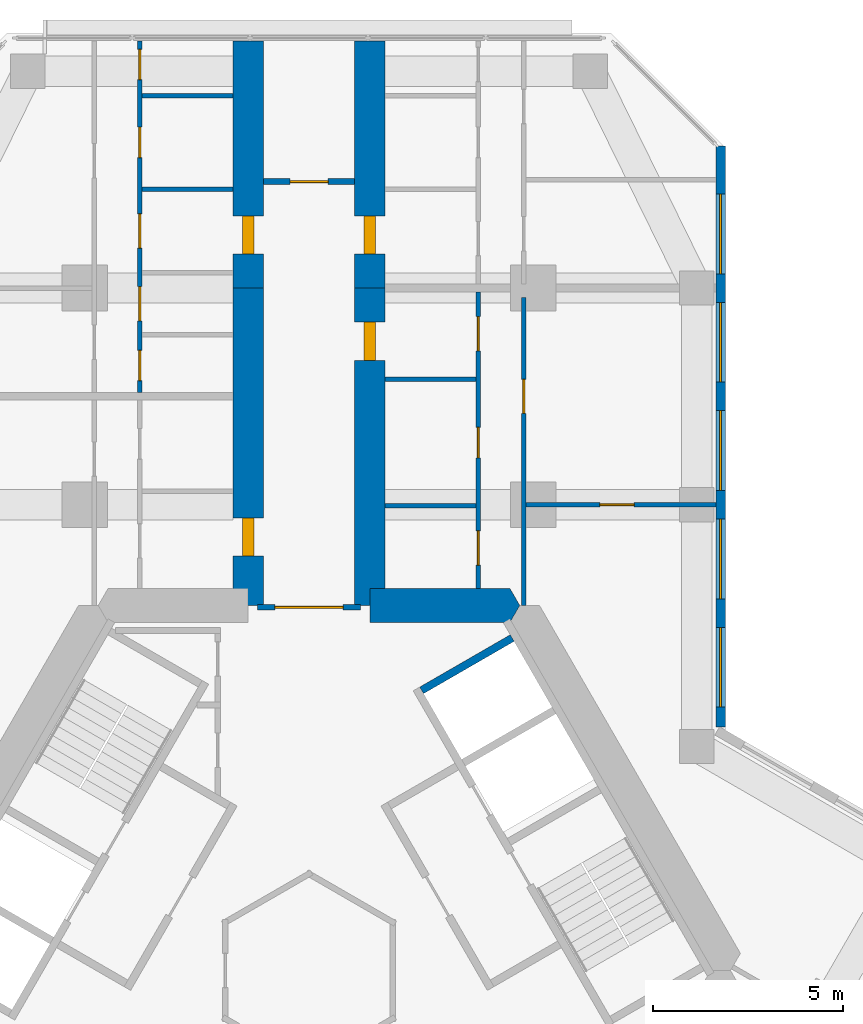
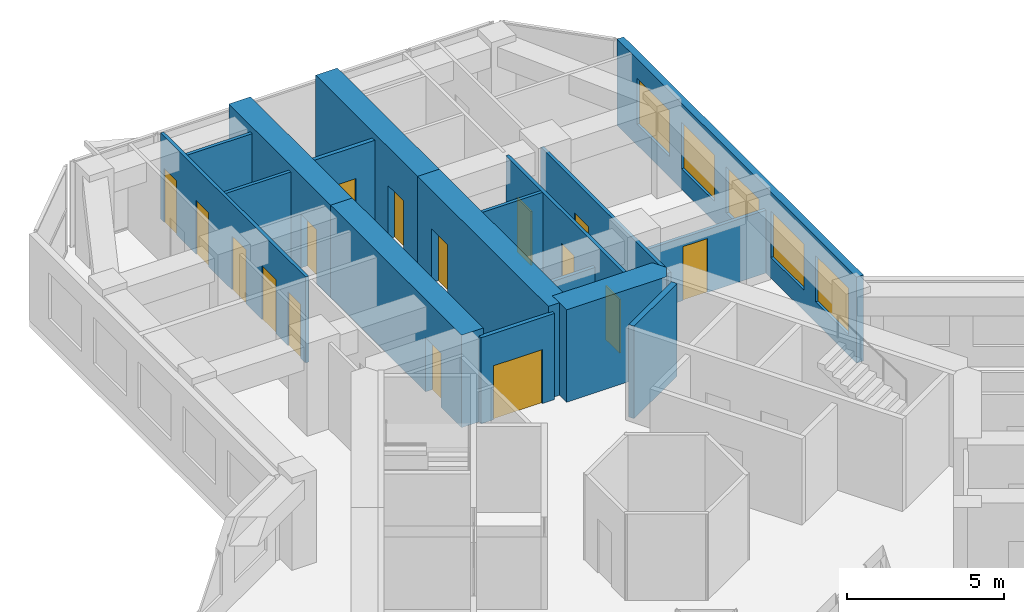
# One storey, part 17 of 19: 17 walls, 16 doors, 5 windows, 21 openings.
"""IFC4 building model written with IfcOpenShell, lengths in metres."""

from ifc_helpers import new_model, si_unit, direction, frame, frame_2d, origin, place, context, subcontext, project, spatial, polyline, rectangle, outline, extrude, material, layer, layer_set, type_object, element, fill, save


model = new_model("IFC4")

# Units and contexts
model_context = context("Model", 3, precision=1e-05, world=origin(), true_north=direction((0.0, 1.0)))
body_context = subcontext(model_context, "Body", "Model", "MODEL_VIEW")
ifc_project = project(units=[si_unit("LENGTHUNIT", "METRE"), si_unit("AREAUNIT", "SQUARE_METRE"), si_unit("VOLUMEUNIT", "CUBIC_METRE"), si_unit("PLANEANGLEUNIT", "RADIAN"), si_unit("MASSUNIT", "GRAM", prefix="KILO")], contexts=[model_context])

# Site, building, storey
site_placement = place(None, origin())
site = spatial("IfcSite", under=ifc_project, at=site_placement, CompositionType="ELEMENT")
building_placement = place(site_placement, origin())
building = spatial("IfcBuilding", under=site, at=building_placement, Name="Kosmar Iwan School Tower", CompositionType="ELEMENT")
storey_placement = place(building_placement, frame((0.0, 0.0, 138.199951171875)))
storey = spatial("IfcBuildingStorey", under=building, at=storey_placement, Name="L34", CompositionType="ELEMENT", Elevation=138.199951171875)

# Wall
ifc_material_1 = material(Name="Concrete C50/60", Category="concrete")
ifc_layer_1 = layer(ifc_material_1, 0.89990234375)
ifc_layer_set_1 = layer_set([ifc_layer_1], Name="Core wall 900")
wall_type_1 = type_object("IfcWallType", Name="Core wall 900", PredefinedType="SHEAR", material=ifc_layer_set_1)
wall_1_placement = place(storey_placement, origin())
element("IfcWall", 1, at=wall_1_placement, inside=storey, type_object=wall_type_1, Name="Core wall F090a", PredefinedType="SHEAR", context=body_context, shape_type="SweptSolid", body=[
    extrude(outline(polyline([(1.60009765625, 9.14990234375), (5.28271484375, 9.14990234375), (5.54248046875, 9.60009765625), (5.28271484375, 10.050048828125), (1.60009765625, 10.050048828125), (1.60009765625, 9.14990234375)])), origin(), (0.0, 0.0, 1.0), 3.60009765625),
])

# Wall, opening, door
ifc_material_2 = material(Name="Concrete C50/60", Category="concrete")
ifc_layer_2 = layer(ifc_material_2, 0.800048828125)
ifc_layer_set_2 = layer_set([ifc_layer_2], Name="Corridor buttress wall 800")
wall_type_2 = type_object("IfcWallType", Name="Corridor buttress wall 800", PredefinedType="SHEAR", material=ifc_layer_set_2)
wall_2_placement = place(storey_placement, frame((-1.60009765625, 9.60009765625, 0.0), z_axis=(0.0, 0.0, 1.0), x_axis=(0.0, 1.0, 0.0)))
wall_2 = element("IfcWall", 2, at=wall_2_placement, inside=storey, type_object=wall_type_2, Name="Corridor wall AL", PredefinedType="SHEAR", context=body_context, shape_type="SweptSolid", body=[
    extrude(rectangle(XDim=8.349853515625, YDim=0.800048828125, at=frame_2d((4.1748046875, 0.0))), origin(), (0.0, 0.0, 1.0), 3.60009765625),
])
opening_1_placement = place(wall_2_placement, frame((1.300048828125, 0.0, 0.0)))
opening_1 = element("IfcOpeningElement", 3, at=opening_1_placement, cuts=wall_2, Name="Opening D1", PredefinedType="OPENING", context=body_context, shape_type="SweptSolid", body=[
    extrude(rectangle(XDim=1.0, YDim=2.10009765625, at=frame_2d((0.5, 1.050048828125))), frame((0.0, 0.412109375, 0.0), z_axis=(0.0, -1.0, 0.0), x_axis=(1.0, 0.0, 0.0)), (0.0, 0.0, 1.0), 0.823974609375),
])
ifc_material_3 = material(Name="Timber fire door in steel frame", Category="steel")
door_type_1 = type_object("IfcDoorType", Name="Flat entrance door 1000x2100", OperationType="SINGLE_SWING_LEFT", PredefinedType="DOOR", material=ifc_material_3)
door_1_placement = place(opening_1_placement, origin())
door_1 = element("IfcDoor", 4, at=door_1_placement, inside=storey, type_object=door_type_1, Name="Flat L34-AL1 entrance door", OperationType="SINGLE_SWING_RIGHT", OverallHeight=2.10009765625, OverallWidth=1.0, PredefinedType="DOOR", context=body_context, shape_type="SweptSolid", body=[
    extrude(rectangle(XDim=1.0, YDim=2.10009765625, at=frame_2d((0.5, 1.050048828125))), frame((0.0, 0.14990234375, 0.0), z_axis=(0.0, -1.0, 0.0), x_axis=(1.0, 0.0, 0.0)), (0.0, 0.0, 1.0), 0.300048828125),
])
fill(opening_1, door_1)

wall_3_placement = place(storey_placement, frame((-1.60009765625, 17.949951171875, 0.0), z_axis=(0.0, 0.0, 1.0), x_axis=(0.0, 1.0, 0.0)))
wall_3 = element("IfcWall", 5, at=wall_3_placement, inside=storey, type_object=wall_type_2, Name="Corridor wall AL bay 2", PredefinedType="SHEAR", context=body_context, shape_type="SweptSolid", body=[
    extrude(rectangle(XDim=6.4951171875, YDim=0.800048828125, at=frame_2d((3.24755859375, 0.0))), origin(), (0.0, 0.0, 1.0), 3.60009765625),
])
opening_2_placement = place(wall_3_placement, frame((0.89990234375, 0.0, 0.0)))
opening_2 = element("IfcOpeningElement", 6, at=opening_2_placement, cuts=wall_3, Name="Opening D1", PredefinedType="OPENING", context=body_context, shape_type="SweptSolid", body=[
    extrude(rectangle(XDim=1.0, YDim=2.10009765625, at=frame_2d((0.5, 1.050048828125))), frame((0.0, 0.412109375, 0.0), z_axis=(0.0, -1.0, 0.0), x_axis=(1.0, 0.0, 0.0)), (0.0, 0.0, 1.0), 0.823974609375),
])
door_2_placement = place(opening_2_placement, origin())
door_2 = element("IfcDoor", 7, at=door_2_placement, inside=storey, type_object=door_type_1, Name="Flat L34-AL2 entrance door", OperationType="SINGLE_SWING_LEFT", OverallHeight=2.10009765625, OverallWidth=1.0, PredefinedType="DOOR", context=body_context, shape_type="SweptSolid", body=[
    extrude(rectangle(XDim=1.0, YDim=2.10009765625, at=frame_2d((0.5, 1.050048828125))), frame((0.0, 0.14990234375, 0.0), z_axis=(0.0, -1.0, 0.0), x_axis=(1.0, 0.0, 0.0)), (0.0, 0.0, 1.0), 0.300048828125),
])
fill(opening_2, door_2)

wall_4_placement = place(storey_placement, frame((1.60009765625, 9.60009765625, 0.0), z_axis=(0.0, 0.0, 1.0), x_axis=(0.0, 1.0, 0.0)))
wall_4 = element("IfcWall", 8, at=wall_4_placement, inside=storey, type_object=wall_type_2, Name="Corridor wall AR", PredefinedType="SHEAR", context=body_context, shape_type="SweptSolid", body=[
    extrude(rectangle(XDim=8.349853515625, YDim=0.800048828125, at=frame_2d((4.1748046875, 0.0))), origin(), (0.0, 0.0, 1.0), 3.60009765625),
])
opening_3_placement = place(wall_4_placement, frame((6.449951171875, 0.0, 0.0)))
opening_3 = element("IfcOpeningElement", 9, at=opening_3_placement, cuts=wall_4, Name="Opening D1", PredefinedType="OPENING", context=body_context, shape_type="SweptSolid", body=[
    extrude(rectangle(XDim=1.0, YDim=2.10009765625, at=frame_2d((0.5, 1.050048828125))), frame((0.0, 0.412109375, 0.0), z_axis=(0.0, -1.0, 0.0), x_axis=(1.0, 0.0, 0.0)), (0.0, 0.0, 1.0), 0.823974609375),
])
door_3_placement = place(opening_3_placement, origin())
door_3 = element("IfcDoor", 10, at=door_3_placement, inside=storey, type_object=door_type_1, Name="Flat L34-AR1 entrance door", OperationType="SINGLE_SWING_RIGHT", OverallHeight=2.10009765625, OverallWidth=1.0, PredefinedType="DOOR", context=body_context, shape_type="SweptSolid", body=[
    extrude(rectangle(XDim=1.0, YDim=2.10009765625, at=frame_2d((0.5, 1.050048828125))), frame((0.0, 0.14990234375, 0.0), z_axis=(0.0, -1.0, 0.0), x_axis=(1.0, 0.0, 0.0)), (0.0, 0.0, 1.0), 0.300048828125),
])
fill(opening_3, door_3)

wall_5_placement = place(storey_placement, frame((1.60009765625, 17.949951171875, 0.0), z_axis=(0.0, 0.0, 1.0), x_axis=(0.0, 1.0, 0.0)))
wall_5 = element("IfcWall", 11, at=wall_5_placement, inside=storey, type_object=wall_type_2, Name="Corridor wall AR bay 2", PredefinedType="SHEAR", context=body_context, shape_type="SweptSolid", body=[
    extrude(rectangle(XDim=6.4951171875, YDim=0.800048828125, at=frame_2d((3.24755859375, 0.0))), origin(), (0.0, 0.0, 1.0), 3.60009765625),
])
opening_4_placement = place(wall_5_placement, frame((0.89990234375, 0.0, 0.0)))
opening_4 = element("IfcOpeningElement", 12, at=opening_4_placement, cuts=wall_5, Name="Opening D1", PredefinedType="OPENING", context=body_context, shape_type="SweptSolid", body=[
    extrude(rectangle(XDim=1.0, YDim=2.10009765625, at=frame_2d((0.5, 1.050048828125))), frame((0.0, 0.412109375, 0.0), z_axis=(0.0, -1.0, 0.0), x_axis=(1.0, 0.0, 0.0)), (0.0, 0.0, 1.0), 0.823974609375),
])
door_4_placement = place(opening_4_placement, origin())
door_4 = element("IfcDoor", 13, at=door_4_placement, inside=storey, type_object=door_type_1, Name="Flat L34-AR2 entrance door", OperationType="SINGLE_SWING_RIGHT", OverallHeight=2.10009765625, OverallWidth=1.0, PredefinedType="DOOR", context=body_context, shape_type="SweptSolid", body=[
    extrude(rectangle(XDim=1.0, YDim=2.10009765625, at=frame_2d((0.5, 1.050048828125))), frame((0.0, 0.14990234375, 0.0), z_axis=(0.0, -1.0, 0.0), x_axis=(1.0, 0.0, 0.0)), (0.0, 0.0, 1.0), 0.300048828125),
])
fill(opening_4, door_4)

ifc_material_4 = material(Name="Gypsum board on steel studs, fire-rated", Category="steel")
ifc_layer_3 = layer(ifc_material_4, 0.14990234375)
ifc_layer_set_3 = layer_set([ifc_layer_3], Name="Corridor end wall 150")
wall_type_3 = type_object("IfcWallType", Name="Corridor end wall 150", PredefinedType="PARTITIONING", material=ifc_layer_set_3)
wall_6_placement = place(storey_placement, frame((1.199951171875, 20.75, 0.0), z_axis=(0.0, 0.0, 1.0), x_axis=(-1.0, 0.0, 0.0)))
wall_6 = element("IfcWall", 14, at=wall_6_placement, inside=storey, type_object=wall_type_3, Name="Partition L34-A-CE", PredefinedType="PARTITIONING", context=body_context, shape_type="SweptSolid", body=[
    extrude(rectangle(XDim=2.39990234375, YDim=0.14990234375, at=frame_2d((1.199951171875, 0.0))), origin(), (0.0, 0.0, 1.0), 3.35009765625),
])
opening_5_placement = place(wall_6_placement, frame((0.699951171875, 0.0, 0.0)))
opening_5 = element("IfcOpeningElement", 15, at=opening_5_placement, cuts=wall_6, Name="Opening D13", PredefinedType="OPENING", context=body_context, shape_type="SweptSolid", body=[
    extrude(rectangle(XDim=1.0, YDim=2.10009765625, at=frame_2d((0.5, 1.050048828125))), frame((0.0, 0.0869140625, 0.0), z_axis=(0.0, -1.0, 0.0), x_axis=(1.0, 0.0, 0.0)), (0.0, 0.0, 1.0), 0.173828125),
])
ifc_material_5 = material(Name="Timber fire door with vision panel", Category="wood")
door_type_2 = type_object("IfcDoorType", Name="Corridor end door 1000x2100", OperationType="SINGLE_SWING_LEFT", PredefinedType="DOOR", material=ifc_material_5)
door_5_placement = place(opening_5_placement, origin())
door_5 = element("IfcDoor", 16, at=door_5_placement, inside=storey, type_object=door_type_2, Name="Prayer room door L34-A", OperationType="SINGLE_SWING_LEFT", OverallHeight=2.10009765625, OverallWidth=1.0, PredefinedType="DOOR", context=body_context, shape_type="SweptSolid", body=[
    extrude(rectangle(XDim=1.0, YDim=2.10009765625, at=frame_2d((0.5, 1.050048828125))), frame((0.0, 0.02490234375, 0.0), z_axis=(0.0, -1.0, 0.0), x_axis=(1.0, 0.0, 0.0)), (0.0, 0.0, 1.0), 0.050048828125),
])
fill(opening_5, door_5)

ifc_material_6 = material(Name="Steel framed glazed screen", Category="steel")
ifc_layer_4 = layer(ifc_material_6, 0.14990234375)
ifc_layer_set_4 = layer_set([ifc_layer_4], Name="Corridor screen wall 150")
wall_type_4 = type_object("IfcWallType", Name="Corridor screen wall 150", PredefinedType="PARTITIONING", material=ifc_layer_set_4)
wall_7_placement = place(storey_placement, frame((1.35009765625, 9.550048828125, 0.0), z_axis=(0.0, 0.0, 1.0), x_axis=(-1.0, 0.0, 0.0)))
wall_7 = element("IfcWall", 17, at=wall_7_placement, inside=storey, type_object=wall_type_4, Name="Corridor screen A L34", PredefinedType="PARTITIONING", context=body_context, shape_type="SweptSolid", body=[
    extrude(rectangle(XDim=2.7001953125, YDim=0.14990234375, at=frame_2d((1.35009765625, 0.0))), origin(), (0.0, 0.0, 1.0), 3.35009765625),
])
opening_6_placement = place(wall_7_placement, frame((0.449951171875, 0.0, 0.0)))
opening_6 = element("IfcOpeningElement", 18, at=opening_6_placement, cuts=wall_7, Name="Opening D9", PredefinedType="OPENING", context=body_context, shape_type="SweptSolid", body=[
    extrude(rectangle(XDim=1.800048828125, YDim=2.10009765625, at=frame_2d((0.89990234375, 1.050048828125))), frame((0.0, 0.0869140625, 0.0), z_axis=(0.0, -1.0, 0.0), x_axis=(1.0, 0.0, 0.0)), (0.0, 0.0, 1.0), 0.173828125),
])
ifc_material_7 = material(Name="Steel framed glazed smoke door", Category="steel")
door_type_3 = type_object("IfcDoorType", Name="Corridor smoke door pair 1800x2100", OperationType="DOUBLE_DOOR_DOUBLE_SWING", PredefinedType="DOOR", material=ifc_material_7)
door_6_placement = place(opening_6_placement, origin())
door_6 = element("IfcDoor", 19, at=door_6_placement, inside=storey, type_object=door_type_3, Name="Corridor doors A L34", OperationType="DOUBLE_DOOR_DOUBLE_SWING", OverallHeight=2.10009765625, OverallWidth=1.800048828125, PredefinedType="DOOR", context=body_context, shape_type="SweptSolid", body=[
    extrude(rectangle(XDim=1.800048828125, YDim=2.10009765625, at=frame_2d((0.89990234375, 1.050048828125))), frame((0.0, 0.02490234375, 0.0), z_axis=(0.0, -1.0, 0.0), x_axis=(1.0, 0.0, 0.0)), (0.0, 0.0, 1.0), 0.050048828125),
])
fill(opening_6, door_6)

# Wall, openings, doors
ifc_material_8 = material(Name="Gypsum board on steel studs", Category="steel")
ifc_layer_5 = layer(ifc_material_8, 0.1201171875)
ifc_layer_set_5 = layer_set([ifc_layer_5], Name="Dwelling partition 120")
wall_type_5 = type_object("IfcWallType", Name="Dwelling partition 120", PredefinedType="PARTITIONING", material=ifc_layer_set_5)
wall_8_placement = place(storey_placement, frame((-4.449951171875, 15.199951171875, 0.0), z_axis=(0.0, 0.0, 1.0), x_axis=(0.0, 1.0, 0.0)))
wall_8 = element("IfcWall", 20, at=wall_8_placement, inside=storey, type_object=wall_type_5, Name="Partition L34-AL2-W1", PredefinedType="PARTITIONING", context=body_context, shape_type="SweptSolid", body=[
    extrude(rectangle(XDim=9.2451171875, YDim=0.1201171875, at=frame_2d((4.62255859375, 0.0))), origin(), (0.0, 0.0, 1.0), 3.35009765625),
])
opening_7_placement = place(wall_8_placement, frame((0.3125, 0.0, 0.0)))
opening_7 = element("IfcOpeningElement", 21, at=opening_7_placement, cuts=wall_8, Name="Opening D3", PredefinedType="OPENING", context=body_context, shape_type="SweptSolid", body=[
    extrude(rectangle(XDim=0.800048828125, YDim=2.10009765625, at=frame_2d((0.39990234375, 1.050048828125))), frame((0.0, 0.072021484375, 0.0), z_axis=(0.0, -1.0, 0.0), x_axis=(1.0, 0.0, 0.0)), (0.0, 0.0, 1.0), 0.14404296875),
])
opening_8_placement = place(wall_8_placement, frame((1.887451171875, 0.0, 0.0)))
opening_8 = element("IfcOpeningElement", 22, at=opening_8_placement, cuts=wall_8, Name="Opening D2", PredefinedType="OPENING", context=body_context, shape_type="SweptSolid", body=[
    extrude(rectangle(XDim=0.89990234375, YDim=2.10009765625, at=frame_2d((0.449951171875, 1.050048828125))), frame((0.0, 0.072021484375, 0.0), z_axis=(0.0, -1.0, 0.0), x_axis=(1.0, 0.0, 0.0)), (0.0, 0.0, 1.0), 0.14404296875),
])
opening_9_placement = place(wall_8_placement, frame((3.800048828125, 0.0, 0.0)))
opening_9 = element("IfcOpeningElement", 23, at=opening_9_placement, cuts=wall_8, Name="Opening D2", PredefinedType="OPENING", context=body_context, shape_type="SweptSolid", body=[
    extrude(rectangle(XDim=0.89990234375, YDim=2.10009765625, at=frame_2d((0.449951171875, 1.050048828125))), frame((0.0, 0.072021484375, 0.0), z_axis=(0.0, -1.0, 0.0), x_axis=(1.0, 0.0, 0.0)), (0.0, 0.0, 1.0), 0.14404296875),
])
opening_10_placement = place(wall_8_placement, frame((6.179931640625, 0.0, 0.0)))
opening_10 = element("IfcOpeningElement", 24, at=opening_10_placement, cuts=wall_8, Name="Opening D3", PredefinedType="OPENING", context=body_context, shape_type="SweptSolid", body=[
    extrude(rectangle(XDim=0.800048828125, YDim=2.10009765625, at=frame_2d((0.39990234375, 1.050048828125))), frame((0.0, 0.072021484375, 0.0), z_axis=(0.0, -1.0, 0.0), x_axis=(1.0, 0.0, 0.0)), (0.0, 0.0, 1.0), 0.14404296875),
])
opening_11_placement = place(wall_8_placement, frame((8.22998046875, 0.0, 0.0)))
opening_11 = element("IfcOpeningElement", 25, at=opening_11_placement, cuts=wall_8, Name="Opening D3", PredefinedType="OPENING", context=body_context, shape_type="SweptSolid", body=[
    extrude(rectangle(XDim=0.800048828125, YDim=2.10009765625, at=frame_2d((0.39990234375, 1.050048828125))), frame((0.0, 0.072021484375, 0.0), z_axis=(0.0, -1.0, 0.0), x_axis=(1.0, 0.0, 0.0)), (0.0, 0.0, 1.0), 0.14404296875),
])
ifc_material_9 = material(Name="Timber door in timber frame", Category="wood")
door_type_4 = type_object("IfcDoorType", Name="Internal door 900x2100", OperationType="SINGLE_SWING_LEFT", PredefinedType="DOOR", material=ifc_material_9)
door_7_placement = place(opening_8_placement, frame((0.89990234375, 0.0, 0.0), z_axis=(0.0, 0.0, 1.0), x_axis=(-1.0, 0.0, 0.0)))
door_7 = element("IfcDoor", 26, at=door_7_placement, inside=storey, type_object=door_type_4, Name="Pantry door L34-AL2-S2", OperationType="SINGLE_SWING_RIGHT", OverallHeight=2.10009765625, OverallWidth=0.89990234375, PredefinedType="DOOR", context=body_context, shape_type="SweptSolid", body=[
    extrude(rectangle(XDim=0.89990234375, YDim=2.10009765625, at=frame_2d((0.449951171875, 1.050048828125))), frame((0.0, 0.02490234375, 0.0), z_axis=(0.0, -1.0, 0.0), x_axis=(1.0, 0.0, 0.0)), (0.0, 0.0, 1.0), 0.050048828125),
])
fill(opening_8, door_7)
door_8_placement = place(opening_9_placement, origin())
door_8 = element("IfcDoor", 27, at=door_8_placement, inside=storey, type_object=door_type_4, Name="Entrance hall door L34-AL2-S3", OperationType="SINGLE_SWING_LEFT", OverallHeight=2.10009765625, OverallWidth=0.89990234375, PredefinedType="DOOR", context=body_context, shape_type="SweptSolid", body=[
    extrude(rectangle(XDim=0.89990234375, YDim=2.10009765625, at=frame_2d((0.449951171875, 1.050048828125))), frame((0.0, 0.02490234375, 0.0), z_axis=(0.0, -1.0, 0.0), x_axis=(1.0, 0.0, 0.0)), (0.0, 0.0, 1.0), 0.050048828125),
])
fill(opening_9, door_8)
ifc_material_10 = material(Name="Timber door in timber frame", Category="wood")
door_type_5 = type_object("IfcDoorType", Name="Sanitary room door 800x2100", OperationType="SINGLE_SWING_LEFT", PredefinedType="DOOR", material=ifc_material_10)
door_9_placement = place(opening_7_placement, origin())
door_9 = element("IfcDoor", 28, at=door_9_placement, inside=storey, type_object=door_type_5, Name="Store door L34-AL2-S1", OperationType="SINGLE_SWING_LEFT", OverallHeight=2.10009765625, OverallWidth=0.800048828125, PredefinedType="DOOR", context=body_context, shape_type="SweptSolid", body=[
    extrude(rectangle(XDim=0.800048828125, YDim=2.10009765625, at=frame_2d((0.39990234375, 1.050048828125))), frame((0.0, 0.02490234375, 0.0), z_axis=(0.0, -1.0, 0.0), x_axis=(1.0, 0.0, 0.0)), (0.0, 0.0, 1.0), 0.050048828125),
])
fill(opening_7, door_9)
door_10_placement = place(opening_10_placement, origin())
door_10 = element("IfcDoor", 29, at=door_10_placement, inside=storey, type_object=door_type_5, Name="Bathroom door L34-AL2-S4", OperationType="SINGLE_SWING_RIGHT", OverallHeight=2.10009765625, OverallWidth=0.800048828125, PredefinedType="DOOR", context=body_context, shape_type="SweptSolid", body=[
    extrude(rectangle(XDim=0.800048828125, YDim=2.10009765625, at=frame_2d((0.39990234375, 1.050048828125))), frame((0.0, 0.02490234375, 0.0), z_axis=(0.0, -1.0, 0.0), x_axis=(1.0, 0.0, 0.0)), (0.0, 0.0, 1.0), 0.050048828125),
])
fill(opening_10, door_10)
door_11_placement = place(opening_11_placement, origin())
door_11 = element("IfcDoor", 30, at=door_11_placement, inside=storey, type_object=door_type_5, Name="WC door L34-AL2-S5", OperationType="SINGLE_SWING_RIGHT", OverallHeight=2.10009765625, OverallWidth=0.800048828125, PredefinedType="DOOR", context=body_context, shape_type="SweptSolid", body=[
    extrude(rectangle(XDim=0.800048828125, YDim=2.10009765625, at=frame_2d((0.39990234375, 1.050048828125))), frame((0.0, 0.02490234375, 0.0), z_axis=(0.0, -1.0, 0.0), x_axis=(1.0, 0.0, 0.0)), (0.0, 0.0, 1.0), 0.050048828125),
])
fill(opening_11, door_11)

# Walls
for number, where, z_axis, x_axis, name in (
    (31, (-2.0, 20.550048828125, 0.0), (0.0, 0.0, 1.0), (-1.0, 0.0, 0.0), "Partition L34-AL2-Y3"),
    (32, (-2.0, 23.010009765625, 0.0), (0.0, 0.0, 1.0), (-1.0, 0.0, 0.0), "Partition L34-AL2-Y4"),
):
    element("IfcWall", number, at=place(storey_placement, frame(where, z_axis=z_axis, x_axis=x_axis)), inside=storey, type_object=wall_type_5, Name=name, PredefinedType="PARTITIONING", context=body_context, shape_type="SweptSolid", body=[
        extrude(rectangle(XDim=2.389892578125, YDim=0.1201171875, at=frame_2d((1.19482421875, 0.0))), origin(), (0.0, 0.0, 1.0), 3.35009765625),
    ])

# Wall, openings, doors
wall_9_placement = place(storey_placement, frame((4.449951171875, 10.050048828125, 0.0), z_axis=(0.0, 0.0, 1.0), x_axis=(0.0, 1.0, 0.0)))
wall_9 = element("IfcWall", 33, at=wall_9_placement, inside=storey, type_object=wall_type_5, Name="Partition L34-AR1-W1", PredefinedType="PARTITIONING", context=body_context, shape_type="SweptSolid", body=[
    extrude(rectangle(XDim=7.800048828125, YDim=0.1201171875, at=frame_2d((3.89990234375, 0.0))), origin(), (0.0, 0.0, 1.0), 3.35009765625),
])
opening_12_placement = place(wall_9_placement, frame((0.610107421875, 0.0, 0.0)))
opening_12 = element("IfcOpeningElement", 34, at=opening_12_placement, cuts=wall_9, Name="Opening D2", PredefinedType="OPENING", context=body_context, shape_type="SweptSolid", body=[
    extrude(rectangle(XDim=0.89990234375, YDim=2.10009765625, at=frame_2d((0.449951171875, 1.050048828125))), frame((0.0, 0.072021484375, 0.0), z_axis=(0.0, -1.0, 0.0), x_axis=(1.0, 0.0, 0.0)), (0.0, 0.0, 1.0), 0.14404296875),
])
opening_13_placement = place(wall_9_placement, frame((3.43505859375, 0.0, 0.0)))
opening_13 = element("IfcOpeningElement", 35, at=opening_13_placement, cuts=wall_9, Name="Opening D3", PredefinedType="OPENING", context=body_context, shape_type="SweptSolid", body=[
    extrude(rectangle(XDim=0.800048828125, YDim=2.10009765625, at=frame_2d((0.39990234375, 1.050048828125))), frame((0.0, 0.072021484375, 0.0), z_axis=(0.0, -1.0, 0.0), x_axis=(1.0, 0.0, 0.0)), (0.0, 0.0, 1.0), 0.14404296875),
])
opening_14_placement = place(wall_9_placement, frame((6.25, 0.0, 0.0)))
opening_14 = element("IfcOpeningElement", 36, at=opening_14_placement, cuts=wall_9, Name="Opening D2", PredefinedType="OPENING", context=body_context, shape_type="SweptSolid", body=[
    extrude(rectangle(XDim=0.89990234375, YDim=2.10009765625, at=frame_2d((0.449951171875, 1.050048828125))), frame((0.0, 0.072021484375, 0.0), z_axis=(0.0, -1.0, 0.0), x_axis=(1.0, 0.0, 0.0)), (0.0, 0.0, 1.0), 0.14404296875),
])
door_12_placement = place(opening_12_placement, origin())
door_12 = element("IfcDoor", 37, at=door_12_placement, inside=storey, type_object=door_type_4, Name="Pantry door L34-AR1-S1", OperationType="SINGLE_SWING_RIGHT", OverallHeight=2.10009765625, OverallWidth=0.89990234375, PredefinedType="DOOR", context=body_context, shape_type="SweptSolid", body=[
    extrude(rectangle(XDim=0.89990234375, YDim=2.10009765625, at=frame_2d((0.449951171875, 1.050048828125))), frame((0.0, 0.02490234375, 0.0), z_axis=(0.0, -1.0, 0.0), x_axis=(1.0, 0.0, 0.0)), (0.0, 0.0, 1.0), 0.050048828125),
])
fill(opening_12, door_12)
door_13_placement = place(opening_14_placement, origin())
door_13 = element("IfcDoor", 38, at=door_13_placement, inside=storey, type_object=door_type_4, Name="Entrance hall door L34-AR1-S3", OperationType="SINGLE_SWING_RIGHT", OverallHeight=2.10009765625, OverallWidth=0.89990234375, PredefinedType="DOOR", context=body_context, shape_type="SweptSolid", body=[
    extrude(rectangle(XDim=0.89990234375, YDim=2.10009765625, at=frame_2d((0.449951171875, 1.050048828125))), frame((0.0, 0.02490234375, 0.0), z_axis=(0.0, -1.0, 0.0), x_axis=(1.0, 0.0, 0.0)), (0.0, 0.0, 1.0), 0.050048828125),
])
fill(opening_14, door_13)
door_14_placement = place(opening_13_placement, origin())
door_14 = element("IfcDoor", 39, at=door_14_placement, inside=storey, type_object=door_type_5, Name="Bathroom door L34-AR1-S2", OperationType="SINGLE_SWING_LEFT", OverallHeight=2.10009765625, OverallWidth=0.800048828125, PredefinedType="DOOR", context=body_context, shape_type="SweptSolid", body=[
    extrude(rectangle(XDim=0.800048828125, YDim=2.10009765625, at=frame_2d((0.39990234375, 1.050048828125))), frame((0.0, 0.02490234375, 0.0), z_axis=(0.0, -1.0, 0.0), x_axis=(1.0, 0.0, 0.0)), (0.0, 0.0, 1.0), 0.050048828125),
])
fill(opening_13, door_14)

# Wall, opening, door
wall_10_placement = place(storey_placement, frame((5.64990234375, 9.60009765625, 0.0), z_axis=(0.0, 0.0, 1.0), x_axis=(0.0, 1.0, 0.0)))
wall_10 = element("IfcWall", 40, at=wall_10_placement, inside=storey, type_object=wall_type_5, Name="Partition L34-AR1-W2", PredefinedType="PARTITIONING", context=body_context, shape_type="SweptSolid", body=[
    extrude(rectangle(XDim=8.099853515625, YDim=0.1201171875, at=frame_2d((4.0498046875, 0.0))), origin(), (0.0, 0.0, 1.0), 3.35009765625),
])
opening_15_placement = place(wall_10_placement, frame((5.050048828125, 0.0, 0.0)))
opening_15 = element("IfcOpeningElement", 41, at=opening_15_placement, cuts=wall_10, Name="Opening D2", PredefinedType="OPENING", context=body_context, shape_type="SweptSolid", body=[
    extrude(rectangle(XDim=0.89990234375, YDim=2.10009765625, at=frame_2d((0.449951171875, 1.050048828125))), frame((0.0, 0.072021484375, 0.0), z_axis=(0.0, -1.0, 0.0), x_axis=(1.0, 0.0, 0.0)), (0.0, 0.0, 1.0), 0.14404296875),
])
door_15_placement = place(opening_15_placement, origin())
door_15 = element("IfcDoor", 42, at=door_15_placement, inside=storey, type_object=door_type_4, Name="Studio living room door L34-AR1-F2", OperationType="SINGLE_SWING_RIGHT", OverallHeight=2.10009765625, OverallWidth=0.89990234375, PredefinedType="DOOR", context=body_context, shape_type="SweptSolid", body=[
    extrude(rectangle(XDim=0.89990234375, YDim=2.10009765625, at=frame_2d((0.449951171875, 1.050048828125))), frame((0.0, 0.02490234375, 0.0), z_axis=(0.0, -1.0, 0.0), x_axis=(1.0, 0.0, 0.0)), (0.0, 0.0, 1.0), 0.050048828125),
])
fill(opening_15, door_15)

wall_11_placement = place(storey_placement, frame((5.7099609375, 12.25, 0.0), z_axis=(0.0, 0.0, 1.0), x_axis=(1.0, 0.0, 0.0)))
wall_11 = element("IfcWall", 43, at=wall_11_placement, inside=storey, type_object=wall_type_5, Name="Partition L34-AR1-X1", PredefinedType="PARTITIONING", context=body_context, shape_type="SweptSolid", body=[
    extrude(rectangle(XDim=4.989990234375, YDim=0.1201171875, at=frame_2d((2.4951171875, 0.0))), origin(), (0.0, 0.0, 1.0), 2.449951171875),
])
opening_16_placement = place(wall_11_placement, frame((1.93994140625, 0.0, 0.0)))
opening_16 = element("IfcOpeningElement", 44, at=opening_16_placement, cuts=wall_11, Name="Opening D2", PredefinedType="OPENING", context=body_context, shape_type="SweptSolid", body=[
    extrude(rectangle(XDim=0.89990234375, YDim=2.10009765625, at=frame_2d((0.449951171875, 1.050048828125))), frame((0.0, 0.072021484375, 0.0), z_axis=(0.0, -1.0, 0.0), x_axis=(1.0, 0.0, 0.0)), (0.0, 0.0, 1.0), 0.14404296875),
])
door_16_placement = place(opening_16_placement, origin())
door_16 = element("IfcDoor", 45, at=door_16_placement, inside=storey, type_object=door_type_4, Name="Kitchen and dining room door L34-AR1-F1", OperationType="SINGLE_SWING_LEFT", OverallHeight=2.10009765625, OverallWidth=0.89990234375, PredefinedType="DOOR", context=body_context, shape_type="SweptSolid", body=[
    extrude(rectangle(XDim=0.89990234375, YDim=2.10009765625, at=frame_2d((0.449951171875, 1.050048828125))), frame((0.0, 0.02490234375, 0.0), z_axis=(0.0, -1.0, 0.0), x_axis=(1.0, 0.0, 0.0)), (0.0, 0.0, 1.0), 0.050048828125),
])
fill(opening_16, door_16)

# Walls
wall_12_placement = place(storey_placement, frame((2.0, 12.219970703125, 0.0), z_axis=(0.0, 0.0, 1.0), x_axis=(1.0, 0.0, 0.0)))
element("IfcWall", 46, at=wall_12_placement, inside=storey, type_object=wall_type_5, Name="Partition L34-AR1-Y1", PredefinedType="PARTITIONING", context=body_context, shape_type="SweptSolid", body=[
    extrude(rectangle(XDim=2.389892578125, YDim=0.1201171875, at=frame_2d((1.19482421875, 0.0))), origin(), (0.0, 0.0, 1.0), 2.449951171875),
])
wall_13_placement = place(storey_placement, frame((2.0, 15.550048828125, 0.0), z_axis=(0.0, 0.0, 1.0), x_axis=(1.0, 0.0, 0.0)))
element("IfcWall", 47, at=wall_13_placement, inside=storey, type_object=wall_type_5, Name="Partition L34-AR1-Y2", PredefinedType="PARTITIONING", context=body_context, shape_type="SweptSolid", body=[
    extrude(rectangle(XDim=2.389892578125, YDim=0.1201171875, at=frame_2d((1.19482421875, 0.0))), origin(), (0.0, 0.0, 1.0), 3.35009765625),
])

# Wall, openings, windows
ifc_material_11 = material(Name="Black aluminium rainscreen on insulated framing", Category="aluminium")
ifc_layer_6 = layer(ifc_material_11, 0.25)
ifc_layer_set_6 = layer_set([ifc_layer_6], Name="External wall rainscreen 250")
wall_type_6 = type_object("IfcWallType", Name="External wall rainscreen 250", PredefinedType="SOLIDWALL", material=ifc_layer_set_6)
wall_14_placement = place(storey_placement, frame((10.824951171875, 6.408935546875, 0.0), z_axis=(0.0, 0.0, 1.0), x_axis=(0.0, 1.0, 0.0)))
wall_14 = element("IfcWall", 48, at=wall_14_placement, inside=storey, type_object=wall_type_6, Name="External wall AR L34", PredefinedType="SOLIDWALL", context=body_context, shape_type="SweptSolid", body=[
    extrude(rectangle(XDim=15.2763671875, YDim=0.25, at=frame_2d((7.63818359375, 0.0))), origin(), (0.0, 0.0, 1.0), 3.35009765625),
])
opening_17_placement = place(wall_14_placement, frame((0.51611328125, 0.0, 0.800048828125)))
opening_17 = element("IfcOpeningElement", 49, at=opening_17_placement, cuts=wall_14, Name="Opening W4", PredefinedType="OPENING", context=body_context, shape_type="SweptSolid", body=[
    extrude(rectangle(XDim=2.10009765625, YDim=1.800048828125, at=frame_2d((1.050048828125, 0.89990234375))), frame((0.0, 0.136962890625, 0.0), z_axis=(0.0, -1.0, 0.0), x_axis=(1.0, 0.0, 0.0)), (0.0, 0.0, 1.0), 0.27392578125),
])
opening_18_placement = place(wall_14_placement, frame((3.365966796875, 0.0, 0.800048828125)))
opening_18 = element("IfcOpeningElement", 50, at=opening_18_placement, cuts=wall_14, Name="Opening W4", PredefinedType="OPENING", context=body_context, shape_type="SweptSolid", body=[
    extrude(rectangle(XDim=2.10009765625, YDim=1.800048828125, at=frame_2d((1.050048828125, 0.89990234375))), frame((0.0, 0.136962890625, 0.0), z_axis=(0.0, -1.0, 0.0), x_axis=(1.0, 0.0, 0.0)), (0.0, 0.0, 1.0), 0.27392578125),
])
opening_19_placement = place(wall_14_placement, frame((6.216064453125, 0.0, 0.800048828125)))
opening_19 = element("IfcOpeningElement", 51, at=opening_19_placement, cuts=wall_14, Name="Opening W4", PredefinedType="OPENING", context=body_context, shape_type="SweptSolid", body=[
    extrude(rectangle(XDim=2.10009765625, YDim=1.800048828125, at=frame_2d((1.050048828125, 0.89990234375))), frame((0.0, 0.136962890625, 0.0), z_axis=(0.0, -1.0, 0.0), x_axis=(1.0, 0.0, 0.0)), (0.0, 0.0, 1.0), 0.27392578125),
])
opening_20_placement = place(wall_14_placement, frame((9.06591796875, 0.0, 0.800048828125)))
opening_20 = element("IfcOpeningElement", 52, at=opening_20_placement, cuts=wall_14, Name="Opening W4", PredefinedType="OPENING", context=body_context, shape_type="SweptSolid", body=[
    extrude(rectangle(XDim=2.10009765625, YDim=1.800048828125, at=frame_2d((1.050048828125, 0.89990234375))), frame((0.0, 0.136962890625, 0.0), z_axis=(0.0, -1.0, 0.0), x_axis=(1.0, 0.0, 0.0)), (0.0, 0.0, 1.0), 0.27392578125),
])
opening_21_placement = place(wall_14_placement, frame((11.916015625, 0.0, 0.800048828125)))
opening_21 = element("IfcOpeningElement", 53, at=opening_21_placement, cuts=wall_14, Name="Opening W4", PredefinedType="OPENING", context=body_context, shape_type="SweptSolid", body=[
    extrude(rectangle(XDim=2.10009765625, YDim=1.800048828125, at=frame_2d((1.050048828125, 0.89990234375))), frame((0.0, 0.136962890625, 0.0), z_axis=(0.0, -1.0, 0.0), x_axis=(1.0, 0.0, 0.0)), (0.0, 0.0, 1.0), 0.27392578125),
])
ifc_material_12 = material(Name="Black aluminium frame with dark triple glazing", Category="aluminium")
window_type = type_object("IfcWindowType", Name="Window 2100x1800", PartitioningType="SINGLE_PANEL", PredefinedType="WINDOW", material=ifc_material_12)
window_1_placement = place(opening_17_placement, origin())
window_1 = element("IfcWindow", 54, at=window_1_placement, inside=storey, type_object=window_type, Name="Window AR L34 -1", OverallHeight=1.800048828125, OverallWidth=2.10009765625, PartitioningType="SINGLE_PANEL", PredefinedType="WINDOW", context=body_context, shape_type="SweptSolid", body=[
    extrude(rectangle(XDim=2.10009765625, YDim=1.800048828125, at=frame_2d((1.050048828125, 0.89990234375))), frame((0.0, 0.030029296875, 0.0), z_axis=(0.0, -1.0, 0.0), x_axis=(1.0, 0.0, 0.0)), (0.0, 0.0, 1.0), 0.06005859375),
])
fill(opening_17, window_1)
window_2_placement = place(opening_18_placement, origin())
window_2 = element("IfcWindow", 55, at=window_2_placement, inside=storey, type_object=window_type, Name="Window AR L34 0", OverallHeight=1.800048828125, OverallWidth=2.10009765625, PartitioningType="SINGLE_PANEL", PredefinedType="WINDOW", context=body_context, shape_type="SweptSolid", body=[
    extrude(rectangle(XDim=2.10009765625, YDim=1.800048828125, at=frame_2d((1.050048828125, 0.89990234375))), frame((0.0, 0.030029296875, 0.0), z_axis=(0.0, -1.0, 0.0), x_axis=(1.0, 0.0, 0.0)), (0.0, 0.0, 1.0), 0.06005859375),
])
fill(opening_18, window_2)
window_3_placement = place(opening_19_placement, origin())
window_3 = element("IfcWindow", 56, at=window_3_placement, inside=storey, type_object=window_type, Name="Window AR L34 1", OverallHeight=1.800048828125, OverallWidth=2.10009765625, PartitioningType="SINGLE_PANEL", PredefinedType="WINDOW", context=body_context, shape_type="SweptSolid", body=[
    extrude(rectangle(XDim=2.10009765625, YDim=1.800048828125, at=frame_2d((1.050048828125, 0.89990234375))), frame((0.0, 0.030029296875, 0.0), z_axis=(0.0, -1.0, 0.0), x_axis=(1.0, 0.0, 0.0)), (0.0, 0.0, 1.0), 0.06005859375),
])
fill(opening_19, window_3)
window_4_placement = place(opening_20_placement, origin())
window_4 = element("IfcWindow", 57, at=window_4_placement, inside=storey, type_object=window_type, Name="Window AR L34 2", OverallHeight=1.800048828125, OverallWidth=2.10009765625, PartitioningType="SINGLE_PANEL", PredefinedType="WINDOW", context=body_context, shape_type="SweptSolid", body=[
    extrude(rectangle(XDim=2.10009765625, YDim=1.800048828125, at=frame_2d((1.050048828125, 0.89990234375))), frame((0.0, 0.030029296875, 0.0), z_axis=(0.0, -1.0, 0.0), x_axis=(1.0, 0.0, 0.0)), (0.0, 0.0, 1.0), 0.06005859375),
])
fill(opening_20, window_4)
window_5_placement = place(opening_21_placement, origin())
window_5 = element("IfcWindow", 58, at=window_5_placement, inside=storey, type_object=window_type, Name="Window AR L34 3", OverallHeight=1.800048828125, OverallWidth=2.10009765625, PartitioningType="SINGLE_PANEL", PredefinedType="WINDOW", context=body_context, shape_type="SweptSolid", body=[
    extrude(rectangle(XDim=2.10009765625, YDim=1.800048828125, at=frame_2d((1.050048828125, 0.89990234375))), frame((0.0, 0.030029296875, 0.0), z_axis=(0.0, -1.0, 0.0), x_axis=(1.0, 0.0, 0.0)), (0.0, 0.0, 1.0), 0.06005859375),
])
fill(opening_21, window_5)

# Wall
ifc_material_13 = material(Name="Concrete C50/60", Category="concrete")
ifc_layer_7 = layer(ifc_material_13, 0.199951171875)
ifc_layer_set_7 = layer_set([ifc_layer_7], Name="Lift shaft wall 200")
wall_type_7 = type_object("IfcWallType", Name="Lift shaft wall 200", PredefinedType="SHEAR", material=ifc_layer_set_7)
wall_15_placement = place(storey_placement, frame((2.962646484375, 7.368408203125, 0.0), z_axis=(0.0, 0.0, 1.0), x_axis=(0.866027397988, 0.499996545922, 0.0)))
element("IfcWall", 59, at=wall_15_placement, inside=storey, type_object=wall_type_7, Name="Lift shaft wall AC 2", PredefinedType="SHEAR", context=body_context, shape_type="SweptSolid", body=[
    extrude(rectangle(XDim=2.75, YDim=0.199951171875, at=frame_2d((1.375, 0.0))), origin(), (0.0, 0.0, 1.0), 3.60009765625),
])

save(model, "model.ifc")
